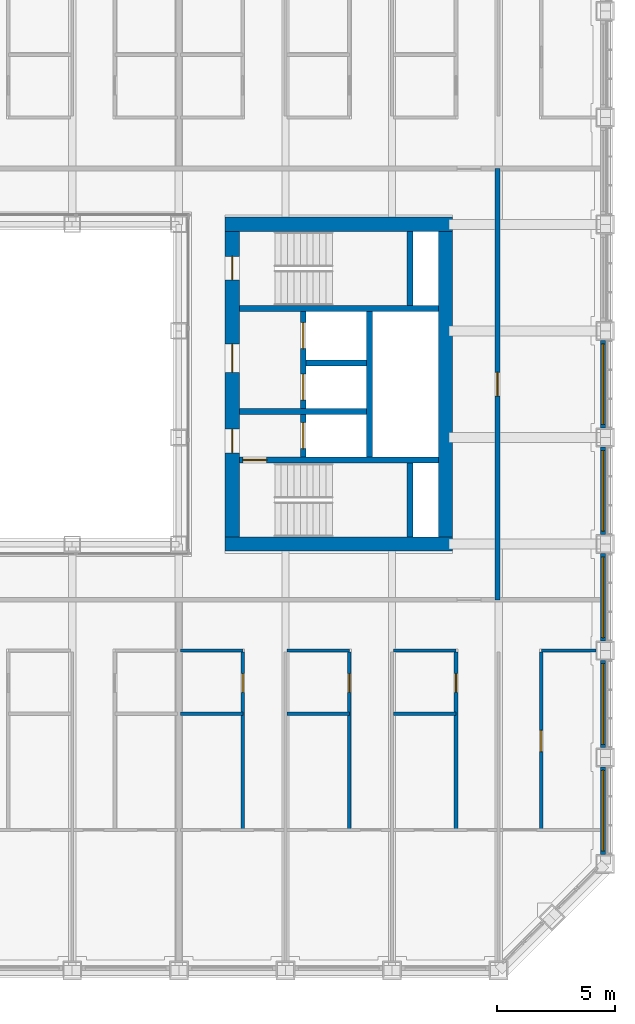
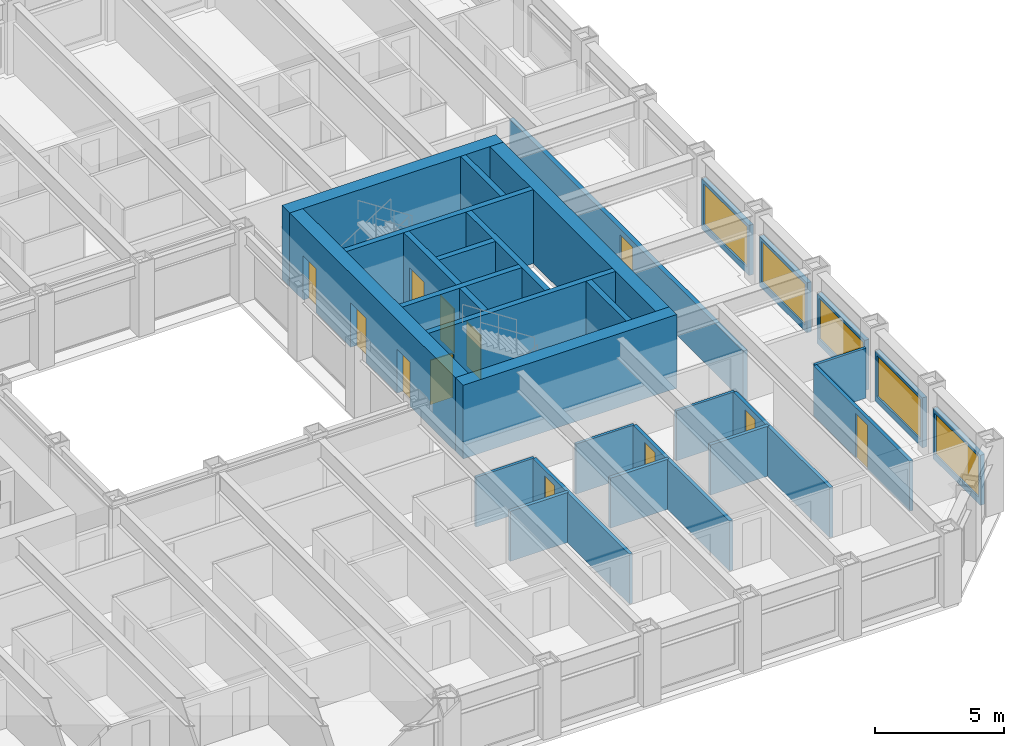
# One storey, part 12 of 21: 29 walls, 12 doors, 5 windows, 17 openings.
"""IFC4 building model written with IfcOpenShell, lengths in metres."""

import ifcopenshell
import ifcopenshell.guid

model = None  # the IFC model being written
_history = None  # IfcOwnerHistory: only IFC2X3 demands one
_inside = {}  # id of a spatial element -> (the spatial element, [elements in it])
_under = {}  # id of a project, library or spatial element -> (it, [spatial elements below it])
_declared = {}  # id of a project -> (the project, [libraries it declares])
_typed = {}  # id of a type object -> (the type object, [elements of that type])
_made_of = {}  # id of a material, layer set ... -> (it, [elements and type objects made of it])


def new_model(schema):
    """Start an empty IFC model of exactly this schema.

    Asked for "IFC4X3", IfcOpenShell would pick the latest addendum, in which some entities
    have other attributes; the version numbers below select the first issue.
    IFC2X3 requires an IfcOwnerHistory on every rooted entity: one is made here for all.
    """
    global model, _history
    if schema == "IFC4X3":
        model = ifcopenshell.file(schema_version=(4, 3, 0, 0))
    else:
        model = ifcopenshell.file(schema=schema)
    _inside.clear()
    _under.clear()
    _declared.clear()
    _typed.clear()
    _made_of.clear()
    _history = None
    if model.schema == "IFC2X3":
        org = make("IfcOrganization", Name="unknown")
        user = make(
            "IfcPersonAndOrganization",
            ThePerson=make("IfcPerson", FamilyName="unknown"),
            TheOrganization=org,
        )
        app = make(
            "IfcApplication",
            ApplicationDeveloper=org,
            Version="unknown",
            ApplicationFullName="unknown",
            ApplicationIdentifier="unknown",
        )
        _history = make(
            "IfcOwnerHistory",
            OwningUser=user,
            OwningApplication=app,
            ChangeAction="ADDED",
            CreationDate=0,
        )
    return model


def make(cls, **values):
    """One entity of the class cls with the attributes given. An attribute that is None is left unset."""
    return model.create_entity(
        cls, **{name: value for name, value in values.items() if value is not None}
    )


def rooted(cls, **values):
    """An entity with a GlobalId (a new one), such as an element, a storey or a relation."""
    return make(cls, GlobalId=ifcopenshell.guid.new(), OwnerHistory=_history, **values)


def si_unit(unit_type, name, prefix=None):
    """IfcSIUnit, for example si_unit("LENGTHUNIT", "METRE", prefix="MILLI")."""
    return make("IfcSIUnit", UnitType=unit_type, Prefix=prefix, Name=name)


def assignment(units):
    """IfcUnitAssignment: the units of a project."""
    return None if units is None else make("IfcUnitAssignment", Units=units)


def point(xyz):
    """IfcCartesianPoint."""
    return None if xyz is None else make("IfcCartesianPoint", Coordinates=xyz)


def direction(xyz):
    """IfcDirection."""
    return None if xyz is None else make("IfcDirection", DirectionRatios=xyz)


def frame(location, z_axis=None, x_axis=None):
    """IfcAxis2Placement3D, a coordinate frame: its origin and axes. An axis left out is left unset."""
    return make(
        "IfcAxis2Placement3D",
        Location=point(location),
        Axis=direction(z_axis),
        RefDirection=direction(x_axis),
    )


def frame_2d(location, x_axis=None):
    """IfcAxis2Placement2D, a coordinate frame in the plane: its origin and x axis."""
    return make(
        "IfcAxis2Placement2D", Location=point(location), RefDirection=direction(x_axis)
    )


def origin():
    """The frame at (0, 0, 0) with its axes left unset."""
    return frame((0.0, 0.0, 0.0))


def place(relative_to, where):
    """IfcLocalPlacement: puts the frame where relative to a parent placement (None: the world)."""
    return make(
        "IfcLocalPlacement", PlacementRelTo=relative_to, RelativePlacement=where
    )


def context(
    kind, dimensions, precision=None, world=None, true_north=None, identifier=None
):
    """IfcGeometricRepresentationContext, for example the 3D "Model" context."""
    return make(
        "IfcGeometricRepresentationContext",
        ContextIdentifier=identifier,
        ContextType=kind,
        CoordinateSpaceDimension=dimensions,
        Precision=precision,
        WorldCoordinateSystem=world,
        TrueNorth=true_north,
    )


def subcontext(parent, identifier, kind, view, scale=None):
    """IfcGeometricRepresentationSubContext, for example "Body" below "Model"."""
    return make(
        "IfcGeometricRepresentationSubContext",
        ContextIdentifier=identifier,
        ContextType=kind,
        ParentContext=parent,
        TargetScale=scale,
        TargetView=view,
    )


def project(units=None, contexts=None):
    """IfcProject with its units and contexts."""
    return rooted(
        "IfcProject",
        Name="project",
        RepresentationContexts=contexts,
        UnitsInContext=assignment(units),
    )


def spatial(cls, under=None, at=None, **own):
    """A site, building, storey or space (cls), placed at a placement, below another one or the project."""
    s = rooted(cls, ObjectPlacement=at, **own)
    if under is not None:
        _under.setdefault(under.id(), (under, []))[1].append(s)
    return s


def profile(cls, at=None, kind="AREA", **sizes):
    """A parametric profile (cls). Its sizes go by their IFC names, for example OverallWidth=200.0."""
    return make(cls, ProfileType=kind, Position=at, **sizes)


def rectangle(**sizes):
    """IfcRectangleProfileDef."""
    return profile("IfcRectangleProfileDef", **sizes)


def extrude(swept, where, along, depth):
    """IfcExtrudedAreaSolid: the profile swept, set in the frame where, extruded along a direction by depth."""
    return make(
        "IfcExtrudedAreaSolid",
        SweptArea=swept,
        Position=where,
        ExtrudedDirection=direction(along),
        Depth=depth,
    )


def shape(context_of_items, identifier, shape_type, items):
    """IfcShapeRepresentation: the items that make up one representation, for example the "Body"."""
    return make(
        "IfcShapeRepresentation",
        ContextOfItems=context_of_items,
        RepresentationIdentifier=identifier,
        RepresentationType=shape_type,
        Items=items,
    )


def material(Name=None, Category=None):
    """IfcMaterial."""
    return make("IfcMaterial", Name=Name, Category=Category)


def layer(
    of_material, thickness, ventilated=None, Name=None, Category=None, Priority=None
):
    """IfcMaterialLayer: one layer of a wall or slab, of a material (None: an air gap)."""
    return make(
        "IfcMaterialLayer",
        Material=of_material,
        LayerThickness=thickness,
        IsVentilated=ventilated,
        Name=Name,
        Category=Category,
        Priority=Priority,
    )


def layer_set(layers, Name=None):
    """IfcMaterialLayerSet."""
    return make("IfcMaterialLayerSet", MaterialLayers=layers, LayerSetName=Name)


def made_of(thing, what):
    """Note that an element or type object is made of a material, layer set ...; save() writes the relation."""
    if what is not None:
        _made_of.setdefault(what.id(), (what, []))[1].append(thing)
    return thing


def type_object(cls, material=None, **own):
    """A type object (cls), such as IfcWallType, which elements share."""
    return made_of(rooted(cls, **own), material)


def element(
    cls,
    number,
    at=None,
    inside=None,
    cuts=None,
    type_object=None,
    material=None,
    context=None,
    identifier="Body",
    shape_type=None,
    held_by="IfcProductDefinitionShape",
    body=None,
    shapes=None,
    **own,
):
    """One element of the class cls, such as IfcWall. Its Tag is "e" and its number.

    at: its placement. inside: the storey or other place that contains it. cuts: it is an
    opening in that element (IfcRelVoidsElement). A single representation is given by context,
    identifier, shape_type and body (its items); several are given by shapes. held_by: the class
    of the entity that holds the representations. save() writes the other relations.
    """
    e = rooted(cls, Tag="e%d" % number, ObjectPlacement=at, **own)
    if body is not None:
        shapes = [shape(context, identifier, shape_type, body)]
    if shapes is not None:
        e.Representation = make(held_by, Representations=shapes)
    if inside is not None:
        _inside.setdefault(inside.id(), (inside, []))[1].append(e)
    if cuts is not None:
        rooted(
            "IfcRelVoidsElement", RelatingBuildingElement=cuts, RelatedOpeningElement=e
        )
    if type_object is not None:
        _typed.setdefault(type_object.id(), (type_object, []))[1].append(e)
    return made_of(e, material)


def fill(opening, filler):
    """IfcRelFillsElement: the door or window that sits in an opening."""
    return rooted(
        "IfcRelFillsElement",
        RelatingOpeningElement=opening,
        RelatedBuildingElement=filler,
    )


def aggregate(whole, parts):
    """IfcRelAggregates: a whole, such as a stair, and the parts it consists of."""
    return rooted("IfcRelAggregates", RelatingObject=whole, RelatedObjects=parts)


def save(model, path):
    """Write the relations noted so far, then the file.

    IfcRelAggregates (storeys below a building ...), IfcRelContainedInSpatialStructure (elements
    in a storey), IfcRelDefinesByType, IfcRelAssociatesMaterial and IfcRelDeclares: one each for
    every whole, place, type object, material and project.
    """
    for whole, parts in _under.values():
        aggregate(whole, parts)
    for where, things in _inside.values():
        rooted(
            "IfcRelContainedInSpatialStructure",
            RelatedElements=things,
            RelatingStructure=where,
        )
    for kind, things in _typed.values():
        rooted("IfcRelDefinesByType", RelatedObjects=things, RelatingType=kind)
    for what, things in _made_of.values():
        rooted("IfcRelAssociatesMaterial", RelatedObjects=things, RelatingMaterial=what)
    for by, libraries in _declared.values():
        rooted("IfcRelDeclares", RelatingContext=by, RelatedDefinitions=libraries)
    model.write(path)


model = new_model("IFC4")

# Units and contexts
model_context = context("Model", 3, precision=1e-05, world=origin(), true_north=direction((0.0, 1.0)))
body_context = subcontext(model_context, "Body", "Model", "MODEL_VIEW")
ifc_project = project(units=[si_unit("LENGTHUNIT", "METRE"), si_unit("AREAUNIT", "SQUARE_METRE"), si_unit("VOLUMEUNIT", "CUBIC_METRE"), si_unit("PLANEANGLEUNIT", "RADIAN"), si_unit("MASSUNIT", "GRAM", prefix="KILO")], contexts=[model_context])

# Site, building, storey
site_placement = place(None, origin())
site = spatial("IfcSite", under=ifc_project, at=site_placement, CompositionType="ELEMENT")
building_placement = place(site_placement, origin())
building = spatial("IfcBuilding", under=site, at=building_placement, Name="Msasa Ring Tower", CompositionType="ELEMENT")
storey_placement = place(building_placement, frame((0.0, 0.0, 96.5)))
storey = spatial("IfcBuildingStorey", under=building, at=storey_placement, Name="L25", CompositionType="ELEMENT", Elevation=96.5)

# Walls
ifc_material_1 = material(Name="Concrete C60/75", Category="concrete")
ifc_layer_1 = layer(ifc_material_1, 0.60009765625)
ifc_layer_set_1 = layer_set([ifc_layer_1], Name="CW1 CORE WALL 600")
wall_type_1 = type_object("IfcWallType", Name="CW1 CORE WALL 600", PredefinedType="SHEAR", material=ifc_layer_set_1)
for number, where, z_axis, x_axis, name in (
    (1, (8.699951171875, -6.75, 0.0), (0.0, 0.0, 1.0), (1.0, 0.0, 0.0), "E core wall S L25"),
    (2, (8.699951171875, 6.75, 0.0), (0.0, 0.0, 1.0), (1.0, 0.0, 0.0), "E core wall N L25"),
):
    element("IfcWall", number, at=place(storey_placement, frame(where, z_axis=z_axis, x_axis=x_axis)), inside=storey, type_object=wall_type_1, Name=name, PredefinedType="SHEAR", context=body_context, shape_type="SweptSolid", body=[
        extrude(rectangle(XDim=9.60009765625, YDim=0.60009765625, at=frame_2d((4.800048828125, 0.0))), origin(), (0.0, 0.0, 1.0), 3.5),
    ])

# Wall, openings, doors
wall_1_placement = place(storey_placement, frame((9.0, -6.449951171875, 0.0), z_axis=(0.0, 0.0, 1.0), x_axis=(0.0, 1.0, 0.0)))
wall_1 = element("IfcWall", 3, at=wall_1_placement, inside=storey, type_object=wall_type_1, Name="E core wall W L25", PredefinedType="SHEAR", context=body_context, shape_type="SweptSolid", body=[
    extrude(rectangle(XDim=12.89990234375, YDim=0.60009765625, at=frame_2d((6.449951171875, 0.0))), origin(), (0.0, 0.0, 1.0), 3.5),
])
opening_1_placement = place(wall_1_placement, frame((3.550048828125, 0.0, 0.0)))
opening_1 = element("IfcOpeningElement", 4, at=opening_1_placement, cuts=wall_1, Name="Opening RG-045", PredefinedType="OPENING", context=body_context, shape_type="SweptSolid", body=[
    extrude(rectangle(XDim=1.0, YDim=2.10009765625, at=frame_2d((0.5, 1.050048828125))), frame((0.0, 0.31005859375, 0.0), z_axis=(0.0, -1.0, 0.0), x_axis=(1.0, 0.0, 0.0)), (0.0, 0.0, 1.0), 0.6201171875),
])
opening_2_placement = place(wall_1_placement, frame((6.949951171875, 0.0, 0.0)))
opening_2 = element("IfcOpeningElement", 5, at=opening_2_placement, cuts=wall_1, Name="Opening RG-040", PredefinedType="OPENING", context=body_context, shape_type="SweptSolid", body=[
    extrude(rectangle(XDim=1.199951171875, YDim=2.10009765625, at=frame_2d((0.60009765625, 1.050048828125))), frame((0.0, 0.31005859375, 0.0), z_axis=(0.0, -1.0, 0.0), x_axis=(1.0, 0.0, 0.0)), (0.0, 0.0, 1.0), 0.6201171875),
])
opening_3_placement = place(wall_1_placement, frame((10.85009765625, 0.0, 0.0)))
opening_3 = element("IfcOpeningElement", 6, at=opening_3_placement, cuts=wall_1, Name="Opening RG-037", PredefinedType="OPENING", context=body_context, shape_type="SweptSolid", body=[
    extrude(rectangle(XDim=1.0, YDim=2.10009765625, at=frame_2d((0.5, 1.050048828125))), frame((0.0, 0.31005859375, 0.0), z_axis=(0.0, -1.0, 0.0), x_axis=(1.0, 0.0, 0.0)), (0.0, 0.0, 1.0), 0.6201171875),
])
ifc_material_2 = material(Name="Timber door leaf in a steel frame", Category="steel")
door_type_1 = type_object("IfcDoorType", Name="D4 LOBBY DOOR 1000x2100", OperationType="SINGLE_SWING_LEFT", PredefinedType="DOOR", material=ifc_material_2)
door_1_placement = place(opening_1_placement, origin())
door_1 = element("IfcDoor", 7, at=door_1_placement, inside=storey, type_object=door_type_1, Name="Door L25-EFFL", OperationType="SINGLE_SWING_LEFT", OverallHeight=2.10009765625, OverallWidth=1.0, PredefinedType="DOOR", context=body_context, shape_type="SweptSolid", body=[
    extrude(rectangle(XDim=1.0, YDim=2.10009765625, at=frame_2d((0.5, 1.050048828125))), frame((0.0, 0.02490234375, 0.0), z_axis=(0.0, -1.0, 0.0), x_axis=(1.0, 0.0, 0.0)), (0.0, 0.0, 1.0), 0.050048828125),
])
fill(opening_1, door_1)
ifc_material_3 = material(Name="Timber door leaf in a steel frame", Category="steel")
door_type_2 = type_object("IfcDoorType", Name="D5 WIDE LOBBY DOOR 1200x2100", OperationType="SINGLE_SWING_LEFT", PredefinedType="DOOR", material=ifc_material_3)
door_2_placement = place(opening_2_placement, origin())
door_2 = element("IfcDoor", 8, at=door_2_placement, inside=storey, type_object=door_type_2, Name="Door L25-ELL", OperationType="SINGLE_SWING_RIGHT", OverallHeight=2.10009765625, OverallWidth=1.199951171875, PredefinedType="DOOR", context=body_context, shape_type="SweptSolid", body=[
    extrude(rectangle(XDim=1.199951171875, YDim=2.10009765625, at=frame_2d((0.60009765625, 1.050048828125))), frame((0.0, 0.02490234375, 0.0), z_axis=(0.0, -1.0, 0.0), x_axis=(1.0, 0.0, 0.0)), (0.0, 0.0, 1.0), 0.050048828125),
])
fill(opening_2, door_2)
ifc_material_4 = material(Name="Timber door leaf in a steel frame", Category="steel")
door_type_3 = type_object("IfcDoorType", Name="D6 STAIR DOOR 1000x2100", OperationType="SINGLE_SWING_LEFT", PredefinedType="DOOR", material=ifc_material_4)
door_3_placement = place(opening_3_placement, origin())
door_3 = element("IfcDoor", 9, at=door_3_placement, inside=storey, type_object=door_type_3, Name="Door L25-ESTB", OperationType="SINGLE_SWING_RIGHT", OverallHeight=2.10009765625, OverallWidth=1.0, PredefinedType="DOOR", context=body_context, shape_type="SweptSolid", body=[
    extrude(rectangle(XDim=1.0, YDim=2.10009765625, at=frame_2d((0.5, 1.050048828125))), frame((0.0, 0.02490234375, 0.0), z_axis=(0.0, -1.0, 0.0), x_axis=(1.0, 0.0, 0.0)), (0.0, 0.0, 1.0), 0.050048828125),
])
fill(opening_3, door_3)

# Wall
wall_2_placement = place(storey_placement, frame((18.0, -6.449951171875, 0.0), z_axis=(0.0, 0.0, 1.0), x_axis=(0.0, 1.0, 0.0)))
element("IfcWall", 10, at=wall_2_placement, inside=storey, type_object=wall_type_1, Name="E core wall E L25", PredefinedType="SHEAR", context=body_context, shape_type="SweptSolid", body=[
    extrude(rectangle(XDim=12.89990234375, YDim=0.60009765625, at=frame_2d((6.449951171875, 0.0))), origin(), (0.0, 0.0, 1.0), 3.5),
])

# Wall, opening, door
ifc_material_5 = material(Name="Concrete C60/75", Category="concrete")
ifc_layer_2 = layer(ifc_material_5, 0.25)
ifc_layer_set_2 = layer_set([ifc_layer_2], Name="CW4 CORE INNER WALL 250")
wall_type_2 = type_object("IfcWallType", Name="CW4 CORE INNER WALL 250", PredefinedType="SHEAR", material=ifc_layer_set_2)
wall_3_placement = place(storey_placement, frame((9.300048828125, -3.199951171875, 0.0), z_axis=(0.0, 0.0, 1.0), x_axis=(1.0, 0.0, 0.0)))
wall_3 = element("IfcWall", 11, at=wall_3_placement, inside=storey, type_object=wall_type_2, Name="E core wall STAIRA L25", PredefinedType="SHEAR", context=body_context, shape_type="SweptSolid", body=[
    extrude(rectangle(XDim=8.39990234375, YDim=0.25, at=frame_2d((4.199951171875, 0.0))), origin(), (0.0, 0.0, 1.0), 3.5),
])
opening_4_placement = place(wall_3_placement, frame((0.14990234375, 0.0, 0.0)))
opening_4 = element("IfcOpeningElement", 12, at=opening_4_placement, cuts=wall_3, Name="Opening RG-047", PredefinedType="OPENING", context=body_context, shape_type="SweptSolid", body=[
    extrude(rectangle(XDim=1.0, YDim=2.10009765625, at=frame_2d((0.5, 1.050048828125))), frame((0.0, 0.135009765625, 0.0), z_axis=(0.0, -1.0, 0.0), x_axis=(1.0, 0.0, 0.0)), (0.0, 0.0, 1.0), 0.27001953125),
])
door_4_placement = place(opening_4_placement, origin())
door_4 = element("IfcDoor", 13, at=door_4_placement, inside=storey, type_object=door_type_3, Name="Door L25-ESTA", OperationType="SINGLE_SWING_LEFT", OverallHeight=2.10009765625, OverallWidth=1.0, PredefinedType="DOOR", context=body_context, shape_type="SweptSolid", body=[
    extrude(rectangle(XDim=1.0, YDim=2.10009765625, at=frame_2d((0.5, 1.050048828125))), frame((0.0, 0.02490234375, 0.0), z_axis=(0.0, -1.0, 0.0), x_axis=(1.0, 0.0, 0.0)), (0.0, 0.0, 1.0), 0.050048828125),
])
fill(opening_4, door_4)

# Walls
wall_4_placement = place(storey_placement, frame((9.300048828125, 3.199951171875, 0.0), z_axis=(0.0, 0.0, 1.0), x_axis=(1.0, 0.0, 0.0)))
element("IfcWall", 14, at=wall_4_placement, inside=storey, type_object=wall_type_2, Name="E core wall STAIRB L25", PredefinedType="SHEAR", context=body_context, shape_type="SweptSolid", body=[
    extrude(rectangle(XDim=8.39990234375, YDim=0.25, at=frame_2d((4.199951171875, 0.0))), origin(), (0.0, 0.0, 1.0), 3.5),
])
for number, where, z_axis, x_axis, name in (
    (15, (16.5, -6.449951171875, 0.0), (0.0, 0.0, 1.0), (0.0, 1.0, 0.0), "E core wall RISERA L25"),
    (16, (16.5, 3.324951171875, 0.0), (0.0, 0.0, 1.0), (0.0, 1.0, 0.0), "E core wall RISERB L25"),
):
    element("IfcWall", number, at=place(storey_placement, frame(where, z_axis=z_axis, x_axis=x_axis)), inside=storey, type_object=wall_type_2, Name=name, PredefinedType="SHEAR", context=body_context, shape_type="SweptSolid", body=[
        extrude(rectangle(XDim=3.125, YDim=0.25, at=frame_2d((1.5625, 0.0))), origin(), (0.0, 0.0, 1.0), 3.5),
    ])
wall_5_placement = place(storey_placement, frame((9.300048828125, -1.14990234375, 0.0), z_axis=(0.0, 0.0, 1.0), x_axis=(1.0, 0.0, 0.0)))
element("IfcWall", 17, at=wall_5_placement, inside=storey, type_object=wall_type_2, Name="E core wall FFL L25", PredefinedType="SHEAR", context=body_context, shape_type="SweptSolid", body=[
    extrude(rectangle(XDim=5.375, YDim=0.25, at=frame_2d((2.6875, 0.0))), origin(), (0.0, 0.0, 1.0), 3.5),
])

# Wall, openings, doors
wall_6_placement = place(storey_placement, frame((12.0, -3.074951171875, 0.0), z_axis=(0.0, 0.0, 1.0), x_axis=(0.0, 1.0, 0.0)))
wall_6 = element("IfcWall", 18, at=wall_6_placement, inside=storey, type_object=wall_type_2, Name="E core wall LOBBY L25", PredefinedType="SHEAR", context=body_context, shape_type="SweptSolid", body=[
    extrude(rectangle(XDim=6.14990234375, YDim=0.25, at=frame_2d((3.074951171875, 0.0))), origin(), (0.0, 0.0, 1.0), 3.5),
])
opening_5_placement = place(wall_6_placement, frame((0.35009765625, 0.0, 0.0)))
opening_5 = element("IfcOpeningElement", 19, at=opening_5_placement, cuts=wall_6, Name="Opening LD1", PredefinedType="OPENING", context=body_context, shape_type="SweptSolid", body=[
    extrude(rectangle(XDim=1.10009765625, YDim=2.10009765625, at=frame_2d((0.550048828125, 1.050048828125))), frame((0.0, 0.135009765625, 0.0), z_axis=(0.0, -1.0, 0.0), x_axis=(1.0, 0.0, 0.0)), (0.0, 0.0, 1.0), 0.27001953125),
])
opening_6_placement = place(wall_6_placement, frame((2.39990234375, 0.0, 0.0)))
opening_6 = element("IfcOpeningElement", 20, at=opening_6_placement, cuts=wall_6, Name="Opening LD1", PredefinedType="OPENING", context=body_context, shape_type="SweptSolid", body=[
    extrude(rectangle(XDim=1.10009765625, YDim=2.10009765625, at=frame_2d((0.550048828125, 1.050048828125))), frame((0.0, 0.135009765625, 0.0), z_axis=(0.0, -1.0, 0.0), x_axis=(1.0, 0.0, 0.0)), (0.0, 0.0, 1.0), 0.27001953125),
])
opening_7_placement = place(wall_6_placement, frame((4.574951171875, 0.0, 0.0)))
opening_7 = element("IfcOpeningElement", 21, at=opening_7_placement, cuts=wall_6, Name="Opening LD1", PredefinedType="OPENING", context=body_context, shape_type="SweptSolid", body=[
    extrude(rectangle(XDim=1.10009765625, YDim=2.10009765625, at=frame_2d((0.550048828125, 1.050048828125))), frame((0.0, 0.135009765625, 0.0), z_axis=(0.0, -1.0, 0.0), x_axis=(1.0, 0.0, 0.0)), (0.0, 0.0, 1.0), 0.27001953125),
])
ifc_material_6 = material(Name="Stainless steel lift landing door", Category="steel")
door_type_4 = type_object("IfcDoorType", Name="LD1 LIFT LANDING DOOR 1100x2100", OperationType="DOUBLE_DOOR_SLIDING", PredefinedType="DOOR", material=ifc_material_6)
door_5_placement = place(opening_5_placement, origin())
door_5 = element("IfcDoor", 22, at=door_5_placement, inside=storey, type_object=door_type_4, Name="Lift landing door FL-E L25", OperationType="DOUBLE_DOOR_SLIDING", OverallHeight=2.10009765625, OverallWidth=1.10009765625, PredefinedType="DOOR", context=body_context, shape_type="SweptSolid", body=[
    extrude(rectangle(XDim=1.10009765625, YDim=2.10009765625, at=frame_2d((0.550048828125, 1.050048828125))), frame((0.0, 0.02490234375, 0.0), z_axis=(0.0, -1.0, 0.0), x_axis=(1.0, 0.0, 0.0)), (0.0, 0.0, 1.0), 0.050048828125),
])
fill(opening_5, door_5)
door_6_placement = place(opening_6_placement, origin())
door_6 = element("IfcDoor", 23, at=door_6_placement, inside=storey, type_object=door_type_4, Name="Lift landing door PL-R1 L25", OperationType="DOUBLE_DOOR_SLIDING", OverallHeight=2.10009765625, OverallWidth=1.10009765625, PredefinedType="DOOR", context=body_context, shape_type="SweptSolid", body=[
    extrude(rectangle(XDim=1.10009765625, YDim=2.10009765625, at=frame_2d((0.550048828125, 1.050048828125))), frame((0.0, 0.02490234375, 0.0), z_axis=(0.0, -1.0, 0.0), x_axis=(1.0, 0.0, 0.0)), (0.0, 0.0, 1.0), 0.050048828125),
])
fill(opening_6, door_6)
door_7_placement = place(opening_7_placement, origin())
door_7 = element("IfcDoor", 24, at=door_7_placement, inside=storey, type_object=door_type_4, Name="Lift landing door PL-R2 L25", OperationType="DOUBLE_DOOR_SLIDING", OverallHeight=2.10009765625, OverallWidth=1.10009765625, PredefinedType="DOOR", context=body_context, shape_type="SweptSolid", body=[
    extrude(rectangle(XDim=1.10009765625, YDim=2.10009765625, at=frame_2d((0.550048828125, 1.050048828125))), frame((0.0, 0.02490234375, 0.0), z_axis=(0.0, -1.0, 0.0), x_axis=(1.0, 0.0, 0.0)), (0.0, 0.0, 1.0), 0.050048828125),
])
fill(opening_7, door_7)

# Walls
wall_7_placement = place(storey_placement, frame((14.800048828125, -3.074951171875, 0.0), z_axis=(0.0, 0.0, 1.0), x_axis=(0.0, 1.0, 0.0)))
element("IfcWall", 25, at=wall_7_placement, inside=storey, type_object=wall_type_2, Name="E core wall SHAFT L25", PredefinedType="SHEAR", context=body_context, shape_type="SweptSolid", body=[
    extrude(rectangle(XDim=6.14990234375, YDim=0.25, at=frame_2d((3.074951171875, 0.0))), origin(), (0.0, 0.0, 1.0), 3.5),
])
wall_8_placement = place(storey_placement, frame((12.125, 0.89990234375, 0.0), z_axis=(0.0, 0.0, 1.0), x_axis=(1.0, 0.0, 0.0)))
element("IfcWall", 26, at=wall_8_placement, inside=storey, type_object=wall_type_2, Name="E core wall LIFT1 L25", PredefinedType="SHEAR", context=body_context, shape_type="SweptSolid", body=[
    extrude(rectangle(XDim=2.550048828125, YDim=0.25, at=frame_2d((1.27490234375, 0.0))), origin(), (0.0, 0.0, 1.0), 3.5),
])

# Wall, opening, window
ifc_material_7 = material(Name="Terracotta rainscreen on blockwork", Category="masonry")
ifc_layer_3 = layer(ifc_material_7, 0.199951171875)
ifc_layer_set_3 = layer_set([ifc_layer_3], Name="FW1 TERRACOTTA-LINED INFILL BAY WALL 200")
wall_type_3 = type_object("IfcWallType", Name="FW1 TERRACOTTA-LINED INFILL BAY WALL 200", PredefinedType="SOLIDWALL", material=ifc_layer_set_3)
wall_9_placement = place(storey_placement, frame((24.64990234375, -19.844970703125, 0.0), z_axis=(0.0, 0.0, 1.0), x_axis=(0.0, 1.0, 0.0)))
wall_9 = element("IfcWall", 27, at=wall_9_placement, inside=storey, type_object=wall_type_3, Name="Infill bay wall E L25 11", PredefinedType="SOLIDWALL", context=body_context, shape_type="SweptSolid", body=[
    extrude(rectangle(XDim=3.68994140625, YDim=0.199951171875, at=frame_2d((1.844970703125, 0.0))), origin(), (0.0, 0.0, 1.0), 2.37890625),
])
opening_8_placement = place(wall_9_placement, frame((0.14501953125, 0.0, 0.300048828125)))
opening_8 = element("IfcOpeningElement", 28, at=opening_8_placement, cuts=wall_9, Name="Opening WN1", PredefinedType="OPENING", context=body_context, shape_type="SweptSolid", body=[
    extrude(rectangle(XDim=3.39990234375, YDim=1.928955078125, at=frame_2d((1.699951171875, 0.96435546875))), frame((0.0, 0.10986328125, 0.0), z_axis=(0.0, -1.0, 0.0), x_axis=(1.0, 0.0, 0.0)), (0.0, 0.0, 1.0), 0.219970703125),
])
ifc_material_8 = material(Name="Aluminium frame with clear glass", Category="aluminium")
window_type = type_object("IfcWindowType", Name="WN1 RESIDENCE WINDOW 3400x1929", PartitioningType="SINGLE_PANEL", PredefinedType="WINDOW", material=ifc_material_8)
window_1_placement = place(opening_8_placement, origin())
window_1 = element("IfcWindow", 29, at=window_1_placement, inside=storey, type_object=window_type, Name="Window E L25 11", OverallHeight=1.928955078125, OverallWidth=3.39990234375, PartitioningType="SINGLE_PANEL", PredefinedType="WINDOW", context=body_context, shape_type="SweptSolid", body=[
    extrude(rectangle(XDim=3.39990234375, YDim=1.928955078125, at=frame_2d((1.699951171875, 0.96435546875))), frame((0.0, 0.030029296875, 0.0), z_axis=(0.0, -1.0, 0.0), x_axis=(1.0, 0.0, 0.0)), (0.0, 0.0, 1.0), 0.06005859375),
])
fill(opening_8, window_1)

wall_10_placement = place(storey_placement, frame((24.64990234375, -15.344970703125, 0.0), z_axis=(0.0, 0.0, 1.0), x_axis=(0.0, 1.0, 0.0)))
wall_10 = element("IfcWall", 30, at=wall_10_placement, inside=storey, type_object=wall_type_3, Name="Infill bay wall E L25 12", PredefinedType="SOLIDWALL", context=body_context, shape_type="SweptSolid", body=[
    extrude(rectangle(XDim=3.68994140625, YDim=0.199951171875, at=frame_2d((1.844970703125, 0.0))), origin(), (0.0, 0.0, 1.0), 2.37890625),
])
opening_9_placement = place(wall_10_placement, frame((0.14501953125, 0.0, 0.300048828125)))
opening_9 = element("IfcOpeningElement", 31, at=opening_9_placement, cuts=wall_10, Name="Opening WN1", PredefinedType="OPENING", context=body_context, shape_type="SweptSolid", body=[
    extrude(rectangle(XDim=3.39990234375, YDim=1.928955078125, at=frame_2d((1.699951171875, 0.96435546875))), frame((0.0, 0.10986328125, 0.0), z_axis=(0.0, -1.0, 0.0), x_axis=(1.0, 0.0, 0.0)), (0.0, 0.0, 1.0), 0.219970703125),
])
window_2_placement = place(opening_9_placement, origin())
window_2 = element("IfcWindow", 32, at=window_2_placement, inside=storey, type_object=window_type, Name="Window E L25 12", OverallHeight=1.928955078125, OverallWidth=3.39990234375, PartitioningType="SINGLE_PANEL", PredefinedType="WINDOW", context=body_context, shape_type="SweptSolid", body=[
    extrude(rectangle(XDim=3.39990234375, YDim=1.928955078125, at=frame_2d((1.699951171875, 0.96435546875))), frame((0.0, 0.030029296875, 0.0), z_axis=(0.0, -1.0, 0.0), x_axis=(1.0, 0.0, 0.0)), (0.0, 0.0, 1.0), 0.06005859375),
])
fill(opening_9, window_2)

wall_11_placement = place(storey_placement, frame((24.64990234375, -10.844970703125, 0.0), z_axis=(0.0, 0.0, 1.0), x_axis=(0.0, 1.0, 0.0)))
wall_11 = element("IfcWall", 33, at=wall_11_placement, inside=storey, type_object=wall_type_3, Name="Infill bay wall E L25 13", PredefinedType="SOLIDWALL", context=body_context, shape_type="SweptSolid", body=[
    extrude(rectangle(XDim=3.68994140625, YDim=0.199951171875, at=frame_2d((1.844970703125, 0.0))), origin(), (0.0, 0.0, 1.0), 2.37890625),
])
opening_10_placement = place(wall_11_placement, frame((0.14501953125, 0.0, 0.300048828125)))
opening_10 = element("IfcOpeningElement", 34, at=opening_10_placement, cuts=wall_11, Name="Opening WN1", PredefinedType="OPENING", context=body_context, shape_type="SweptSolid", body=[
    extrude(rectangle(XDim=3.39990234375, YDim=1.928955078125, at=frame_2d((1.699951171875, 0.96435546875))), frame((0.0, 0.10986328125, 0.0), z_axis=(0.0, -1.0, 0.0), x_axis=(1.0, 0.0, 0.0)), (0.0, 0.0, 1.0), 0.219970703125),
])
window_3_placement = place(opening_10_placement, origin())
window_3 = element("IfcWindow", 35, at=window_3_placement, inside=storey, type_object=window_type, Name="Window E L25 13", OverallHeight=1.928955078125, OverallWidth=3.39990234375, PartitioningType="SINGLE_PANEL", PredefinedType="WINDOW", context=body_context, shape_type="SweptSolid", body=[
    extrude(rectangle(XDim=3.39990234375, YDim=1.928955078125, at=frame_2d((1.699951171875, 0.96435546875))), frame((0.0, 0.030029296875, 0.0), z_axis=(0.0, -1.0, 0.0), x_axis=(1.0, 0.0, 0.0)), (0.0, 0.0, 1.0), 0.06005859375),
])
fill(opening_10, window_3)

wall_12_placement = place(storey_placement, frame((24.64990234375, -6.344970703125, 0.0), z_axis=(0.0, 0.0, 1.0), x_axis=(0.0, 1.0, 0.0)))
wall_12 = element("IfcWall", 36, at=wall_12_placement, inside=storey, type_object=wall_type_3, Name="Infill bay wall E L25 14", PredefinedType="SOLIDWALL", context=body_context, shape_type="SweptSolid", body=[
    extrude(rectangle(XDim=3.68994140625, YDim=0.199951171875, at=frame_2d((1.844970703125, 0.0))), origin(), (0.0, 0.0, 1.0), 2.37890625),
])
opening_11_placement = place(wall_12_placement, frame((0.14501953125, 0.0, 0.300048828125)))
opening_11 = element("IfcOpeningElement", 37, at=opening_11_placement, cuts=wall_12, Name="Opening WN1", PredefinedType="OPENING", context=body_context, shape_type="SweptSolid", body=[
    extrude(rectangle(XDim=3.39990234375, YDim=1.928955078125, at=frame_2d((1.699951171875, 0.96435546875))), frame((0.0, 0.10986328125, 0.0), z_axis=(0.0, -1.0, 0.0), x_axis=(1.0, 0.0, 0.0)), (0.0, 0.0, 1.0), 0.219970703125),
])
window_4_placement = place(opening_11_placement, origin())
window_4 = element("IfcWindow", 38, at=window_4_placement, inside=storey, type_object=window_type, Name="Window E L25 14", OverallHeight=1.928955078125, OverallWidth=3.39990234375, PartitioningType="SINGLE_PANEL", PredefinedType="WINDOW", context=body_context, shape_type="SweptSolid", body=[
    extrude(rectangle(XDim=3.39990234375, YDim=1.928955078125, at=frame_2d((1.699951171875, 0.96435546875))), frame((0.0, 0.030029296875, 0.0), z_axis=(0.0, -1.0, 0.0), x_axis=(1.0, 0.0, 0.0)), (0.0, 0.0, 1.0), 0.06005859375),
])
fill(opening_11, window_4)

wall_13_placement = place(storey_placement, frame((24.64990234375, -1.844970703125, 0.0), z_axis=(0.0, 0.0, 1.0), x_axis=(0.0, 1.0, 0.0)))
wall_13 = element("IfcWall", 39, at=wall_13_placement, inside=storey, type_object=wall_type_3, Name="Infill bay wall E L25 15", PredefinedType="SOLIDWALL", context=body_context, shape_type="SweptSolid", body=[
    extrude(rectangle(XDim=3.68994140625, YDim=0.199951171875, at=frame_2d((1.844970703125, 0.0))), origin(), (0.0, 0.0, 1.0), 2.37890625),
])
opening_12_placement = place(wall_13_placement, frame((0.14501953125, 0.0, 0.300048828125)))
opening_12 = element("IfcOpeningElement", 40, at=opening_12_placement, cuts=wall_13, Name="Opening WN1", PredefinedType="OPENING", context=body_context, shape_type="SweptSolid", body=[
    extrude(rectangle(XDim=3.39990234375, YDim=1.928955078125, at=frame_2d((1.699951171875, 0.96435546875))), frame((0.0, 0.10986328125, 0.0), z_axis=(0.0, -1.0, 0.0), x_axis=(1.0, 0.0, 0.0)), (0.0, 0.0, 1.0), 0.219970703125),
])
window_5_placement = place(opening_12_placement, origin())
window_5 = element("IfcWindow", 41, at=window_5_placement, inside=storey, type_object=window_type, Name="Window E L25 15", OverallHeight=1.928955078125, OverallWidth=3.39990234375, PartitioningType="SINGLE_PANEL", PredefinedType="WINDOW", context=body_context, shape_type="SweptSolid", body=[
    extrude(rectangle(XDim=3.39990234375, YDim=1.928955078125, at=frame_2d((1.699951171875, 0.96435546875))), frame((0.0, 0.030029296875, 0.0), z_axis=(0.0, -1.0, 0.0), x_axis=(1.0, 0.0, 0.0)), (0.0, 0.0, 1.0), 0.06005859375),
])
fill(opening_12, window_5)

# Wall, opening, door
ifc_material_9 = material(Name="Concrete blockwork", Category="masonry")
ifc_layer_4 = layer(ifc_material_9, 0.199951171875)
ifc_layer_set_4 = layer_set([ifc_layer_4], Name="PT1 CORRIDOR WALL 200")
wall_type_4 = type_object("IfcWallType", Name="PT1 CORRIDOR WALL 200", PredefinedType="PARTITIONING", material=ifc_layer_set_4)
wall_14_placement = place(storey_placement, frame((20.199951171875, -9.10009765625, 0.0), z_axis=(0.0, 0.0, 1.0), x_axis=(0.0, 1.0, 0.0)))
wall_14 = element("IfcWall", 42, at=wall_14_placement, inside=storey, type_object=wall_type_4, Name="Corridor wall L25-STRE", PredefinedType="PARTITIONING", context=body_context, shape_type="SweptSolid", body=[
    extrude(rectangle(XDim=18.2001953125, YDim=0.199951171875, at=frame_2d((9.10009765625, 0.0))), origin(), (0.0, 0.0, 1.0), 2.373291015625),
])
opening_13_placement = place(wall_14_placement, frame((8.60009765625, 0.0, 0.0)))
opening_13 = element("IfcOpeningElement", 43, at=opening_13_placement, cuts=wall_14, Name="Opening RG-042", PredefinedType="OPENING", context=body_context, shape_type="SweptSolid", body=[
    extrude(rectangle(XDim=1.0, YDim=2.10009765625, at=frame_2d((0.5, 1.050048828125))), frame((0.0, 0.10986328125, 0.0), z_axis=(0.0, -1.0, 0.0), x_axis=(1.0, 0.0, 0.0)), (0.0, 0.0, 1.0), 0.219970703125),
])
ifc_material_10 = material(Name="Timber door leaf in a steel frame", Category="steel")
door_type_5 = type_object("IfcDoorType", Name="D10 STORE DOOR 1000x2100", OperationType="SINGLE_SWING_LEFT", PredefinedType="DOOR", material=ifc_material_10)
door_8_placement = place(opening_13_placement, origin())
door_8 = element("IfcDoor", 44, at=door_8_placement, inside=storey, type_object=door_type_5, Name="Door L25-RSE", OperationType="SINGLE_SWING_LEFT", OverallHeight=2.10009765625, OverallWidth=1.0, PredefinedType="DOOR", context=body_context, shape_type="SweptSolid", body=[
    extrude(rectangle(XDim=1.0, YDim=2.10009765625, at=frame_2d((0.5, 1.050048828125))), frame((0.0, 0.02490234375, 0.0), z_axis=(0.0, -1.0, 0.0), x_axis=(1.0, 0.0, 0.0)), (0.0, 0.0, 1.0), 0.050048828125),
])
fill(opening_13, door_8)

ifc_material_11 = material(Name="Moisture-resistant board on steel studs with a concealed cistern and pipe void, tiled", Category="steel")
ifc_layer_5 = layer(ifc_material_11, 0.14990234375)
ifc_layer_set_5 = layer_set([ifc_layer_5], Name="PT4 BATHROOM WET WALL 150")
wall_type_5 = type_object("IfcWallType", Name="PT4 BATHROOM WET WALL 150", PredefinedType="PARTITIONING", material=ifc_layer_set_5)
wall_15_placement = place(storey_placement, frame((22.050048828125, -18.8125, 0.0), z_axis=(0.0, 0.0, 1.0), x_axis=(0.0, 1.0, 0.0)))
wall_15 = element("IfcWall", 45, at=wall_15_placement, inside=storey, type_object=wall_type_5, Name="Partition L25-US02SX0", PredefinedType="PARTITIONING", context=body_context, shape_type="SweptSolid", body=[
    extrude(rectangle(XDim=7.5, YDim=0.14990234375, at=frame_2d((3.75, 0.0))), origin(), (0.0, 0.0, 1.0), 2.373291015625),
])
opening_14_placement = place(wall_15_placement, frame((3.300048828125, 0.0, 0.0)))
opening_14 = element("IfcOpeningElement", 46, at=opening_14_placement, cuts=wall_15, Name="Opening RG-063", PredefinedType="OPENING", context=body_context, shape_type="SweptSolid", body=[
    extrude(rectangle(XDim=0.89990234375, YDim=2.10009765625, at=frame_2d((0.449951171875, 1.050048828125))), frame((0.0, 0.0849609375, 0.0), z_axis=(0.0, -1.0, 0.0), x_axis=(1.0, 0.0, 0.0)), (0.0, 0.0, 1.0), 0.169921875),
])
ifc_material_12 = material(Name="Timber door leaf in a steel frame", Category="steel")
door_type_6 = type_object("IfcDoorType", Name="D22 INTERNAL HALL DOOR 900x2100", OperationType="SINGLE_SWING_LEFT", PredefinedType="DOOR", material=ifc_material_12)
door_9_placement = place(opening_14_placement, origin())
door_9 = element("IfcDoor", 47, at=door_9_placement, inside=storey, type_object=door_type_6, Name="Door L25-US02K", OperationType="SINGLE_SWING_LEFT", OverallHeight=2.10009765625, OverallWidth=0.89990234375, PredefinedType="DOOR", context=body_context, shape_type="SweptSolid", body=[
    extrude(rectangle(XDim=0.89990234375, YDim=2.10009765625, at=frame_2d((0.449951171875, 1.050048828125))), frame((0.0, 0.02490234375, 0.0), z_axis=(0.0, -1.0, 0.0), x_axis=(1.0, 0.0, 0.0)), (0.0, 0.0, 1.0), 0.050048828125),
])
fill(opening_14, door_9)

wall_16_placement = place(storey_placement, frame((18.449951171875, -18.8125, 0.0), z_axis=(0.0, 0.0, 1.0), x_axis=(0.0, 1.0, 0.0)))
wall_16 = element("IfcWall", 48, at=wall_16_placement, inside=storey, type_object=wall_type_5, Name="Partition L25-US02SX1", PredefinedType="PARTITIONING", context=body_context, shape_type="SweptSolid", body=[
    extrude(rectangle(XDim=7.5, YDim=0.14990234375, at=frame_2d((3.75, 0.0))), origin(), (0.0, 0.0, 1.0), 2.373291015625),
])
opening_15_placement = place(wall_16_placement, frame((5.800048828125, 0.0, 0.0)))
opening_15 = element("IfcOpeningElement", 49, at=opening_15_placement, cuts=wall_16, Name="Opening RG-060", PredefinedType="OPENING", context=body_context, shape_type="SweptSolid", body=[
    extrude(rectangle(XDim=0.800048828125, YDim=2.10009765625, at=frame_2d((0.39990234375, 1.050048828125))), frame((0.0, 0.0849609375, 0.0), z_axis=(0.0, -1.0, 0.0), x_axis=(1.0, 0.0, 0.0)), (0.0, 0.0, 1.0), 0.169921875),
])
ifc_material_13 = material(Name="Timber door leaf in a steel frame", Category="steel")
door_type_7 = type_object("IfcDoorType", Name="D21 POCKET SLIDING BATHROOM DOOR 800x2100", OperationType="SINGLE_SWING_LEFT", PredefinedType="DOOR", material=ifc_material_13)
door_10_placement = place(opening_15_placement, origin())
door_10 = element("IfcDoor", 50, at=door_10_placement, inside=storey, type_object=door_type_7, Name="Door L25-US02B1", OperationType="SINGLE_SWING_RIGHT", OverallHeight=2.10009765625, OverallWidth=0.800048828125, PredefinedType="DOOR", context=body_context, shape_type="SweptSolid", body=[
    extrude(rectangle(XDim=0.800048828125, YDim=2.10009765625, at=frame_2d((0.39990234375, 1.050048828125))), frame((0.0, 0.02490234375, 0.0), z_axis=(0.0, -1.0, 0.0), x_axis=(1.0, 0.0, 0.0)), (0.0, 0.0, 1.0), 0.050048828125),
])
fill(opening_15, door_10)

# Wall
wall_17_placement = place(storey_placement, frame((15.8125, -13.91259765625, 0.0), z_axis=(0.0, 0.0, 1.0), x_axis=(1.0, 0.0, 0.0)))
element("IfcWall", 51, at=wall_17_placement, inside=storey, type_object=wall_type_5, Name="Partition L25-US02SB1", PredefinedType="PARTITIONING", context=body_context, shape_type="SweptSolid", body=[
    extrude(rectangle(XDim=2.637451171875, YDim=0.14990234375, at=frame_2d((1.31884765625, 0.0))), origin(), (0.0, 0.0, 1.0), 2.373291015625),
])

# Wall, opening, door
wall_18_placement = place(storey_placement, frame((13.949951171875, -18.8125, 0.0), z_axis=(0.0, 0.0, 1.0), x_axis=(0.0, 1.0, 0.0)))
wall_18 = element("IfcWall", 52, at=wall_18_placement, inside=storey, type_object=wall_type_5, Name="Partition L25-US02SX2", PredefinedType="PARTITIONING", context=body_context, shape_type="SweptSolid", body=[
    extrude(rectangle(XDim=7.5, YDim=0.14990234375, at=frame_2d((3.75, 0.0))), origin(), (0.0, 0.0, 1.0), 2.373291015625),
])
opening_16_placement = place(wall_18_placement, frame((5.800048828125, 0.0, 0.0)))
opening_16 = element("IfcOpeningElement", 53, at=opening_16_placement, cuts=wall_18, Name="Opening RG-059", PredefinedType="OPENING", context=body_context, shape_type="SweptSolid", body=[
    extrude(rectangle(XDim=0.800048828125, YDim=2.10009765625, at=frame_2d((0.39990234375, 1.050048828125))), frame((0.0, 0.0849609375, 0.0), z_axis=(0.0, -1.0, 0.0), x_axis=(1.0, 0.0, 0.0)), (0.0, 0.0, 1.0), 0.169921875),
])
door_11_placement = place(opening_16_placement, origin())
door_11 = element("IfcDoor", 54, at=door_11_placement, inside=storey, type_object=door_type_7, Name="Door L25-US02B2", OperationType="SINGLE_SWING_RIGHT", OverallHeight=2.10009765625, OverallWidth=0.800048828125, PredefinedType="DOOR", context=body_context, shape_type="SweptSolid", body=[
    extrude(rectangle(XDim=0.800048828125, YDim=2.10009765625, at=frame_2d((0.39990234375, 1.050048828125))), frame((0.0, 0.02490234375, 0.0), z_axis=(0.0, -1.0, 0.0), x_axis=(1.0, 0.0, 0.0)), (0.0, 0.0, 1.0), 0.050048828125),
])
fill(opening_16, door_11)

# Wall
wall_19_placement = place(storey_placement, frame((11.3125, -13.91259765625, 0.0), z_axis=(0.0, 0.0, 1.0), x_axis=(1.0, 0.0, 0.0)))
element("IfcWall", 55, at=wall_19_placement, inside=storey, type_object=wall_type_5, Name="Partition L25-US02SB2", PredefinedType="PARTITIONING", context=body_context, shape_type="SweptSolid", body=[
    extrude(rectangle(XDim=2.637451171875, YDim=0.14990234375, at=frame_2d((1.31884765625, 0.0))), origin(), (0.0, 0.0, 1.0), 2.373291015625),
])

# Wall, opening, door
wall_20_placement = place(storey_placement, frame((9.449951171875, -18.8125, 0.0), z_axis=(0.0, 0.0, 1.0), x_axis=(0.0, 1.0, 0.0)))
wall_20 = element("IfcWall", 56, at=wall_20_placement, inside=storey, type_object=wall_type_5, Name="Partition L25-US02SX3", PredefinedType="PARTITIONING", context=body_context, shape_type="SweptSolid", body=[
    extrude(rectangle(XDim=7.5, YDim=0.14990234375, at=frame_2d((3.75, 0.0))), origin(), (0.0, 0.0, 1.0), 2.373291015625),
])
opening_17_placement = place(wall_20_placement, frame((5.800048828125, 0.0, 0.0)))
opening_17 = element("IfcOpeningElement", 57, at=opening_17_placement, cuts=wall_20, Name="Opening RG-058", PredefinedType="OPENING", context=body_context, shape_type="SweptSolid", body=[
    extrude(rectangle(XDim=0.800048828125, YDim=2.10009765625, at=frame_2d((0.39990234375, 1.050048828125))), frame((0.0, 0.0849609375, 0.0), z_axis=(0.0, -1.0, 0.0), x_axis=(1.0, 0.0, 0.0)), (0.0, 0.0, 1.0), 0.169921875),
])
door_12_placement = place(opening_17_placement, origin())
door_12 = element("IfcDoor", 58, at=door_12_placement, inside=storey, type_object=door_type_7, Name="Door L25-US02B3", OperationType="SINGLE_SWING_RIGHT", OverallHeight=2.10009765625, OverallWidth=0.800048828125, PredefinedType="DOOR", context=body_context, shape_type="SweptSolid", body=[
    extrude(rectangle(XDim=0.800048828125, YDim=2.10009765625, at=frame_2d((0.39990234375, 1.050048828125))), frame((0.0, 0.02490234375, 0.0), z_axis=(0.0, -1.0, 0.0), x_axis=(1.0, 0.0, 0.0)), (0.0, 0.0, 1.0), 0.050048828125),
])
fill(opening_17, door_12)

# Walls
wall_21_placement = place(storey_placement, frame((6.8173828125, -13.91259765625, 0.0), z_axis=(0.0, 0.0, 1.0), x_axis=(1.0, 0.0, 0.0)))
element("IfcWall", 59, at=wall_21_placement, inside=storey, type_object=wall_type_5, Name="Partition L25-US02SB3", PredefinedType="PARTITIONING", context=body_context, shape_type="SweptSolid", body=[
    extrude(rectangle(XDim=2.632568359375, YDim=0.14990234375, at=frame_2d((1.31640625, 0.0))), origin(), (0.0, 0.0, 1.0), 2.373291015625),
])
ifc_material_14 = material(Name="Two layers of acoustic board each face on steel studs, mineral wool", Category="steel")
ifc_layer_6 = layer(ifc_material_14, 0.125)
ifc_layer_set_6 = layer_set([ifc_layer_6], Name="PT6 ACOUSTIC DOUBLE-BOARD PARTITION 125")
wall_type_6 = type_object("IfcWallType", Name="PT6 ACOUSTIC DOUBLE-BOARD PARTITION 125", PredefinedType="PARTITIONING", material=ifc_layer_set_6)
wall_22_placement = place(storey_placement, frame((22.050048828125, -11.25, 0.0), z_axis=(0.0, 0.0, 1.0), x_axis=(1.0, 0.0, 0.0)))
element("IfcWall", 60, at=wall_22_placement, inside=storey, type_object=wall_type_6, Name="Partition L25-US02HY0", PredefinedType="PARTITIONING", context=body_context, shape_type="SweptSolid", body=[
    extrude(rectangle(XDim=2.300048828125, YDim=0.125, at=frame_2d((1.14990234375, 0.0))), origin(), (0.0, 0.0, 1.0), 2.373291015625),
])
for number, where, z_axis, x_axis, name in (
    (61, (15.8173828125, -11.25, 0.0), (0.0, 0.0, 1.0), (1.0, 0.0, 0.0), "Partition L25-US02HY1"),
    (62, (11.3173828125, -11.25, 0.0), (0.0, 0.0, 1.0), (1.0, 0.0, 0.0), "Partition L25-US02HY2"),
    (63, (6.8173828125, -11.25, 0.0), (0.0, 0.0, 1.0), (1.0, 0.0, 0.0), "Partition L25-US02HY3"),
):
    element("IfcWall", number, at=place(storey_placement, frame(where, z_axis=z_axis, x_axis=x_axis)), inside=storey, type_object=wall_type_6, Name=name, PredefinedType="PARTITIONING", context=body_context, shape_type="SweptSolid", body=[
        extrude(rectangle(XDim=2.632568359375, YDim=0.125, at=frame_2d((1.31640625, 0.0))), origin(), (0.0, 0.0, 1.0), 2.373291015625),
    ])

save(model, "model.ifc")
